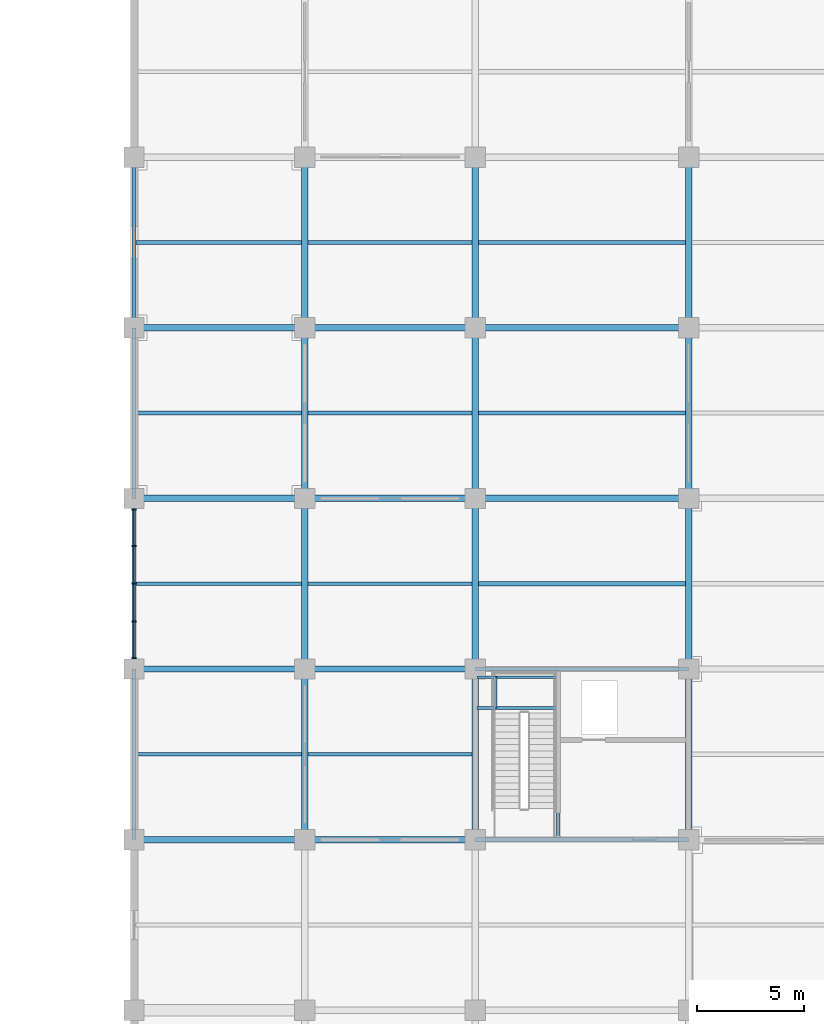
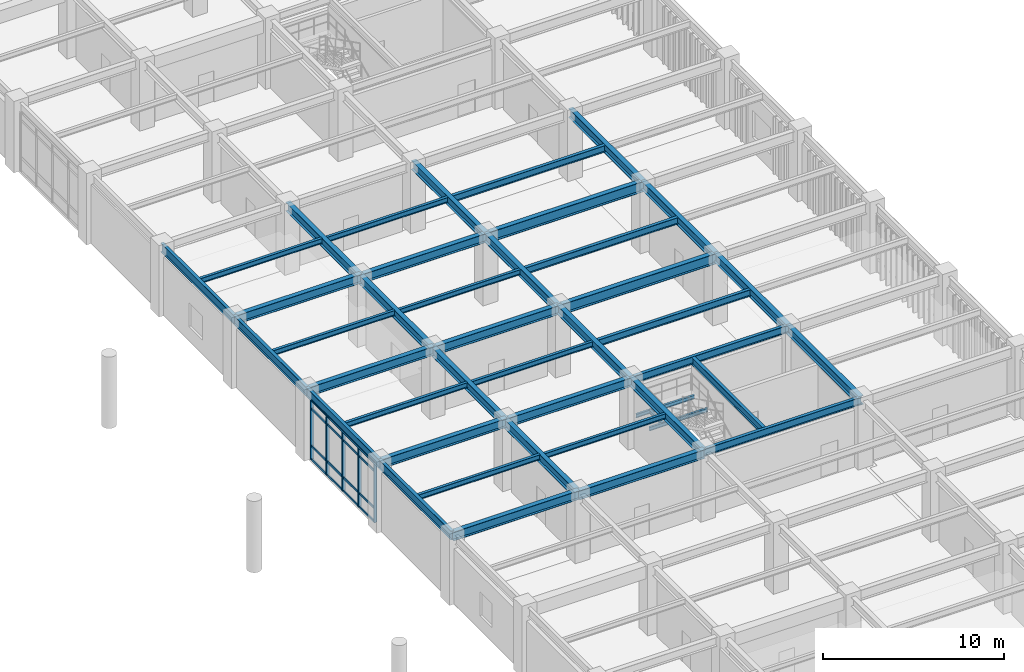
# One storey, part 34 of 109: 43 beams, 21 members, 1 element without a shape of its own.
"""IFC4 building model written with IfcOpenShell, lengths in metres."""

from ifc_helpers import new_model, si_unit, direction, frame, origin, origin_2d, place, context, subcontext, project, spatial, rectangle, i_section, extrude, material, layer, layer_set, material_profile, profile_set, type_object, element, aggregate, save


model = new_model("IFC4")

# Units and contexts
model_context = context("Model", 3, precision=1e-05, world=origin(), true_north=direction((0.0, 1.0)))
body_context = subcontext(model_context, "Body", "Model", "MODEL_VIEW")
ifc_project = project(units=[si_unit("LENGTHUNIT", "METRE"), si_unit("AREAUNIT", "SQUARE_METRE"), si_unit("VOLUMEUNIT", "CUBIC_METRE"), si_unit("PLANEANGLEUNIT", "RADIAN"), si_unit("MASSUNIT", "GRAM", prefix="KILO")], contexts=[model_context])

# Site, building, storey
site_placement = place(None, origin())
site = spatial("IfcSite", under=ifc_project, at=site_placement, CompositionType="ELEMENT")
building_placement = place(site_placement, origin())
building = spatial("IfcBuilding", under=site, at=building_placement, Name="Haebicheon Civic Stadium", CompositionType="ELEMENT")
storey_placement = place(building_placement, frame((0.0, 0.0, 9.60009765625)))
storey = spatial("IfcBuildingStorey", under=building, at=storey_placement, Name="L03", CompositionType="ELEMENT", Elevation=9.60009765625)

# Beams
ifc_material_1 = material(Name="Steel SM355 (S355)", Category="steel")
ifc_material_profile_1 = material_profile(ifc_material_1, i_section(OverallWidth=0.199951171875, OverallDepth=0.5, WebThickness=0.010009765625, FlangeThickness=0.01611328125, at=origin_2d()), Name="H-500x200x10x16")
ifc_profile_set_1 = profile_set([ifc_material_profile_1], Name="Steel SM355 (S355)")
beam_type_1 = type_object("IfcBeamType", Name="BM-ST-H500", PredefinedType="BEAM", material=ifc_profile_set_1)
for number, where, z_axis, x_axis, name in (
    (1, (216.0, 64.0, 4.289794921875), (1.0, 0.0, 0.0), (0.0, 1.0, 0.0), "L03 beam J/28-29"),
    (2, (216.0, 72.0, 4.289794921875), (1.0, 0.0, 0.0), (0.0, 1.0, 0.0), "L03 beam K/28-29"),
):
    element("IfcBeam", number, at=place(storey_placement, frame(where, z_axis=z_axis, x_axis=x_axis)), inside=storey, type_object=beam_type_1, material=ifc_profile_set_1, Name=name, PredefinedType="BEAM", context=body_context, shape_type="SweptSolid", body=[
        extrude(i_section(OverallWidth=0.199951171875, OverallDepth=0.5, WebThickness=0.010009765625, FlangeThickness=0.01611328125, at=origin_2d()), origin(), (0.0, 0.0, 1.0), 10.0),
    ])
beam_1_placement = place(storey_placement, frame((219.8798828125, 64.10009765625, 4.289794921875), z_axis=(0.0, 1.0, 0.0), x_axis=(-1.0, 0.0, 0.0)))
element("IfcBeam", 3, at=beam_1_placement, inside=storey, type_object=beam_type_1, material=ifc_profile_set_1, Name="L03 KC-12 core dividing wall support beam", PredefinedType="BEAM", context=body_context, shape_type="SweptSolid", body=[
    extrude(i_section(OverallWidth=0.199951171875, OverallDepth=0.5, WebThickness=0.010009765625, FlangeThickness=0.01611328125, at=origin_2d()), origin(), (0.0, 0.0, 1.0), 7.7998046875),
])
ifc_material_2 = material(Name="Steel SM355 (S355)", Category="steel")
ifc_material_profile_2 = material_profile(ifc_material_2, i_section(OverallWidth=0.300048828125, OverallDepth=0.60009765625, WebThickness=0.011962890625, FlangeThickness=0.02001953125, at=origin_2d()), Name="H-600x300x12x20")
ifc_profile_set_2 = profile_set([ifc_material_profile_2], Name="Steel SM355 (S355)")
beam_type_2 = type_object("IfcBeamType", Name="BM-ST-H600A", PredefinedType="BEAM", material=ifc_profile_set_2)
for number, where, z_axis, x_axis, name in (
    (4, (208.0, 64.0, 4.239990234375), (0.0, 1.0, 0.0), (-1.0, 0.0, 0.0), "L03 girder 27/J-K"),
    (5, (208.0, 72.0, 4.239990234375), (0.0, 1.0, 0.0), (-1.0, 0.0, 0.0), "L03 girder 27/K-L"),
    (6, (208.0, 80.0, 4.239990234375), (0.0, 1.0, 0.0), (-1.0, 0.0, 0.0), "L03 girder 27/L-M"),
    (7, (208.0, 88.0, 4.239990234375), (0.0, 1.0, 0.0), (-1.0, 0.0, 0.0), "L03 girder 27/M-N"),
    (8, (216.0, 64.0, 4.239990234375), (0.0, 1.0, 0.0), (-1.0, 0.0, 0.0), "L03 girder 28/J-K"),
    (9, (216.0, 72.0, 4.239990234375), (0.0, 1.0, 0.0), (-1.0, 0.0, 0.0), "L03 girder 28/K-L"),
    (10, (216.0, 80.0, 4.239990234375), (0.0, 1.0, 0.0), (-1.0, 0.0, 0.0), "L03 girder 28/L-M"),
    (11, (216.0, 88.0, 4.239990234375), (0.0, 1.0, 0.0), (-1.0, 0.0, 0.0), "L03 girder 28/M-N"),
    (12, (226.0, 64.0, 4.239990234375), (0.0, 1.0, 0.0), (-1.0, 0.0, 0.0), "L03 girder 29/J-K"),
    (13, (226.0, 72.0, 4.239990234375), (0.0, 1.0, 0.0), (-1.0, 0.0, 0.0), "L03 girder 29/K-L"),
    (14, (226.0, 80.0, 4.239990234375), (0.0, 1.0, 0.0), (-1.0, 0.0, 0.0), "L03 girder 29/L-M"),
    (15, (226.0, 88.0, 4.239990234375), (0.0, 1.0, 0.0), (-1.0, 0.0, 0.0), "L03 girder 29/M-N"),
    (16, (200.0, 64.0, 4.27978515625), (1.0, 0.0, 0.0), (0.0, 1.0, 0.0), "L03 beam J/26-27"),
    (17, (200.0, 72.0, 4.27978515625), (1.0, 0.0, 0.0), (0.0, 1.0, 0.0), "L03 beam K/26-27"),
    (18, (200.0, 80.0, 4.27978515625), (1.0, 0.0, 0.0), (0.0, 1.0, 0.0), "L03 beam L/26-27"),
    (19, (200.0, 88.0, 4.27978515625), (1.0, 0.0, 0.0), (0.0, 1.0, 0.0), "L03 beam M/26-27"),
    (20, (208.0, 64.0, 4.239990234375), (1.0, 0.0, 0.0), (0.0, 1.0, 0.0), "L03 beam J/27-28"),
    (21, (208.0, 72.0, 4.239990234375), (1.0, 0.0, 0.0), (0.0, 1.0, 0.0), "L03 beam K/27-28"),
    (22, (208.0, 80.0, 4.239990234375), (1.0, 0.0, 0.0), (0.0, 1.0, 0.0), "L03 beam L/27-28"),
    (23, (208.0, 88.0, 4.239990234375), (1.0, 0.0, 0.0), (0.0, 1.0, 0.0), "L03 beam M/27-28"),
):
    element("IfcBeam", number, at=place(storey_placement, frame(where, z_axis=z_axis, x_axis=x_axis)), inside=storey, type_object=beam_type_2, material=ifc_profile_set_2, Name=name, PredefinedType="BEAM", context=body_context, shape_type="SweptSolid", body=[
        extrude(i_section(OverallWidth=0.300048828125, OverallDepth=0.60009765625, WebThickness=0.011962890625, FlangeThickness=0.02001953125, at=origin_2d()), origin(), (0.0, 0.0, 1.0), 8.0),
    ])
ifc_material_3 = material(Name="Steel SM490", Category="steel")
ifc_material_profile_3 = material_profile(ifc_material_3, i_section(OverallWidth=0.300048828125, OverallDepth=0.699951171875, WebThickness=0.012939453125, FlangeThickness=0.02392578125, at=origin_2d()), Name="H-700x300x13x24")
ifc_profile_set_3 = profile_set([ifc_material_profile_3], Name="Steel SM490")
beam_type_3 = type_object("IfcBeamType", Name="BM-ST-H700", PredefinedType="BEAM", material=ifc_profile_set_3)
for number, where, z_axis, x_axis, name in (
    (24, (216.0, 80.0, 4.18994140625), (1.0, 0.0, 0.0), (0.0, 1.0, 0.0), "L03 beam L/28-29"),
    (25, (216.0, 88.0, 4.18994140625), (1.0, 0.0, 0.0), (0.0, 1.0, 0.0), "L03 beam M/28-29"),
):
    element("IfcBeam", number, at=place(storey_placement, frame(where, z_axis=z_axis, x_axis=x_axis)), inside=storey, type_object=beam_type_3, material=ifc_profile_set_3, Name=name, PredefinedType="BEAM", context=body_context, shape_type="SweptSolid", body=[
        extrude(i_section(OverallWidth=0.300048828125, OverallDepth=0.699951171875, WebThickness=0.012939453125, FlangeThickness=0.02392578125, at=origin_2d()), origin(), (0.0, 0.0, 1.0), 10.0),
    ])

# Curtain wall, members
ifc_material_4 = material(Name="Anodised aluminium and laminated glass", Category="aluminium")
ifc_layer = layer(ifc_material_4, 0.179931640625, Name="Anodised aluminium and laminated glass")
ifc_layer_set = layer_set([ifc_layer], Name="Anodised aluminium and laminated glass")
curtain_wall_type = type_object("IfcCurtainWallType", Name="CW-7050x3950", PredefinedType="NOTDEFINED", material=ifc_layer_set)
curtain_wall_placement = place(storey_placement, origin())
curtain_wall = element("IfcCurtainWall", 26, at=curtain_wall_placement, inside=storey, type_object=curtain_wall_type, material=ifc_layer_set, Name="L03 unitised curtain wall 098", PredefinedType="NOTDEFINED")
ifc_material_5 = material(Name="Anodised aluminium 6063-T6", Category="aluminium")
ifc_material_profile_4 = material_profile(ifc_material_5, rectangle(XDim=0.070068359375, YDim=0.199951171875, at=origin_2d()), Name="ALU-MULL-70x200")
ifc_profile_set_4 = profile_set([ifc_material_profile_4], Name="Anodised aluminium 6063-T6")
member_type_1 = type_object("IfcMemberType", Name="CWM-200x70", PredefinedType="MULLION", material=ifc_profile_set_4)
member_1_placement = place(storey_placement, frame((200.0, 72.510009765625, 0.0), z_axis=(0.0, 0.0, 1.0), x_axis=(0.0, 1.0, 0.0)))
member_1 = element("IfcMember", 27, at=member_1_placement, type_object=member_type_1, material=ifc_profile_set_4, Name="CW-L03-098 vertical mullion 1", PredefinedType="MULLION", context=body_context, shape_type="SweptSolid", body=[
    extrude(rectangle(XDim=0.070068359375, YDim=0.199951171875, at=origin_2d()), origin(), (0.0, 0.0, 1.0), 3.949951171875),
])
member_2_placement = place(storey_placement, frame((200.0, 74.237060546875, 0.0), z_axis=(0.0, 0.0, 1.0), x_axis=(0.0, 1.0, 0.0)))
member_2 = element("IfcMember", 28, at=member_2_placement, type_object=member_type_1, material=ifc_profile_set_4, Name="CW-L03-098 vertical mullion 2", PredefinedType="MULLION", context=body_context, shape_type="SweptSolid", body=[
    extrude(rectangle(XDim=0.070068359375, YDim=0.199951171875, at=origin_2d()), origin(), (0.0, 0.0, 1.0), 3.949951171875),
])
member_3_placement = place(storey_placement, frame((200.0, 76.0, 0.0), z_axis=(0.0, 0.0, 1.0), x_axis=(0.0, 1.0, 0.0)))
member_3 = element("IfcMember", 29, at=member_3_placement, type_object=member_type_1, material=ifc_profile_set_4, Name="CW-L03-098 vertical mullion 3", PredefinedType="MULLION", context=body_context, shape_type="SweptSolid", body=[
    extrude(rectangle(XDim=0.070068359375, YDim=0.199951171875, at=origin_2d()), origin(), (0.0, 0.0, 1.0), 3.949951171875),
])
member_4_placement = place(storey_placement, frame((200.0, 77.762939453125, 0.0), z_axis=(0.0, 0.0, 1.0), x_axis=(0.0, 1.0, 0.0)))
member_4 = element("IfcMember", 30, at=member_4_placement, type_object=member_type_1, material=ifc_profile_set_4, Name="CW-L03-098 vertical mullion 4", PredefinedType="MULLION", context=body_context, shape_type="SweptSolid", body=[
    extrude(rectangle(XDim=0.070068359375, YDim=0.199951171875, at=origin_2d()), origin(), (0.0, 0.0, 1.0), 3.949951171875),
])
member_5_placement = place(storey_placement, frame((200.0, 79.489990234375, 0.0), z_axis=(0.0, 0.0, 1.0), x_axis=(0.0, 1.0, 0.0)))
member_5 = element("IfcMember", 31, at=member_5_placement, type_object=member_type_1, material=ifc_profile_set_4, Name="CW-L03-098 vertical mullion 5", PredefinedType="MULLION", context=body_context, shape_type="SweptSolid", body=[
    extrude(rectangle(XDim=0.070068359375, YDim=0.199951171875, at=origin_2d()), origin(), (0.0, 0.0, 1.0), 3.949951171875),
])
ifc_material_6 = material(Name="Anodised aluminium 6063-T6", Category="aluminium")
ifc_material_profile_5 = material_profile(ifc_material_6, rectangle(XDim=0.070068359375, YDim=0.14990234375, at=origin_2d()), Name="ALU-TRAN-70x150")
ifc_profile_set_5 = profile_set([ifc_material_profile_5], Name="Anodised aluminium 6063-T6")
member_type_2 = type_object("IfcMemberType", Name="CWT-150x70", PredefinedType="NOTDEFINED", material=ifc_profile_set_5)
member_6_placement = place(storey_placement, frame((200.0, 72.544921875, 0.0), z_axis=(0.0, 1.0, 0.0), x_axis=(-1.0, 0.0, 0.0)))
member_6 = element("IfcMember", 32, at=member_6_placement, type_object=member_type_2, material=ifc_profile_set_5, Name="CW-L03-098 horizontal transom 1.1", ObjectType="TRANSOM", PredefinedType="USERDEFINED", context=body_context, shape_type="SweptSolid", body=[
    extrude(rectangle(XDim=0.070068359375, YDim=0.14990234375, at=origin_2d()), origin(), (0.0, 0.0, 1.0), 1.656982421875),
])
member_7_placement = place(storey_placement, frame((200.0, 72.544921875, 0.89990234375), z_axis=(0.0, 1.0, 0.0), x_axis=(-1.0, 0.0, 0.0)))
member_7 = element("IfcMember", 33, at=member_7_placement, type_object=member_type_2, material=ifc_profile_set_5, Name="CW-L03-098 horizontal transom 1.2", ObjectType="TRANSOM", PredefinedType="USERDEFINED", context=body_context, shape_type="SweptSolid", body=[
    extrude(rectangle(XDim=0.070068359375, YDim=0.14990234375, at=origin_2d()), origin(), (0.0, 0.0, 1.0), 1.656982421875),
])
member_8_placement = place(storey_placement, frame((200.0, 72.544921875, 3.39990234375), z_axis=(0.0, 1.0, 0.0), x_axis=(-1.0, 0.0, 0.0)))
member_8 = element("IfcMember", 34, at=member_8_placement, type_object=member_type_2, material=ifc_profile_set_5, Name="CW-L03-098 horizontal transom 1.3", ObjectType="TRANSOM", PredefinedType="USERDEFINED", context=body_context, shape_type="SweptSolid", body=[
    extrude(rectangle(XDim=0.070068359375, YDim=0.14990234375, at=origin_2d()), origin(), (0.0, 0.0, 1.0), 1.656982421875),
])
member_9_placement = place(storey_placement, frame((200.0, 72.544921875, 3.949951171875), z_axis=(0.0, 1.0, 0.0), x_axis=(-1.0, 0.0, 0.0)))
member_9 = element("IfcMember", 35, at=member_9_placement, type_object=member_type_2, material=ifc_profile_set_5, Name="CW-L03-098 horizontal transom 1.4", ObjectType="TRANSOM", PredefinedType="USERDEFINED", context=body_context, shape_type="SweptSolid", body=[
    extrude(rectangle(XDim=0.070068359375, YDim=0.14990234375, at=origin_2d()), origin(), (0.0, 0.0, 1.0), 1.656982421875),
])
member_10_placement = place(storey_placement, frame((200.0, 74.27197265625, 0.0), z_axis=(0.0, 1.0, 0.0), x_axis=(-1.0, 0.0, 0.0)))
member_10 = element("IfcMember", 36, at=member_10_placement, type_object=member_type_2, material=ifc_profile_set_5, Name="CW-L03-098 horizontal transom 2.1", ObjectType="TRANSOM", PredefinedType="USERDEFINED", context=body_context, shape_type="SweptSolid", body=[
    extrude(rectangle(XDim=0.070068359375, YDim=0.14990234375, at=origin_2d()), origin(), (0.0, 0.0, 1.0), 1.693115234375),
])
member_11_placement = place(storey_placement, frame((200.0, 74.27197265625, 0.89990234375), z_axis=(0.0, 1.0, 0.0), x_axis=(-1.0, 0.0, 0.0)))
member_11 = element("IfcMember", 37, at=member_11_placement, type_object=member_type_2, material=ifc_profile_set_5, Name="CW-L03-098 horizontal transom 2.2", ObjectType="TRANSOM", PredefinedType="USERDEFINED", context=body_context, shape_type="SweptSolid", body=[
    extrude(rectangle(XDim=0.070068359375, YDim=0.14990234375, at=origin_2d()), origin(), (0.0, 0.0, 1.0), 1.693115234375),
])
member_12_placement = place(storey_placement, frame((200.0, 74.27197265625, 3.39990234375), z_axis=(0.0, 1.0, 0.0), x_axis=(-1.0, 0.0, 0.0)))
member_12 = element("IfcMember", 38, at=member_12_placement, type_object=member_type_2, material=ifc_profile_set_5, Name="CW-L03-098 horizontal transom 2.3", ObjectType="TRANSOM", PredefinedType="USERDEFINED", context=body_context, shape_type="SweptSolid", body=[
    extrude(rectangle(XDim=0.070068359375, YDim=0.14990234375, at=origin_2d()), origin(), (0.0, 0.0, 1.0), 1.693115234375),
])
member_13_placement = place(storey_placement, frame((200.0, 74.27197265625, 3.949951171875), z_axis=(0.0, 1.0, 0.0), x_axis=(-1.0, 0.0, 0.0)))
member_13 = element("IfcMember", 39, at=member_13_placement, type_object=member_type_2, material=ifc_profile_set_5, Name="CW-L03-098 horizontal transom 2.4", ObjectType="TRANSOM", PredefinedType="USERDEFINED", context=body_context, shape_type="SweptSolid", body=[
    extrude(rectangle(XDim=0.070068359375, YDim=0.14990234375, at=origin_2d()), origin(), (0.0, 0.0, 1.0), 1.693115234375),
])
member_14_placement = place(storey_placement, frame((200.0, 76.034912109375, 0.0), z_axis=(0.0, 1.0, 0.0), x_axis=(-1.0, 0.0, 0.0)))
member_14 = element("IfcMember", 40, at=member_14_placement, type_object=member_type_2, material=ifc_profile_set_5, Name="CW-L03-098 horizontal transom 3.1", ObjectType="TRANSOM", PredefinedType="USERDEFINED", context=body_context, shape_type="SweptSolid", body=[
    extrude(rectangle(XDim=0.070068359375, YDim=0.14990234375, at=origin_2d()), origin(), (0.0, 0.0, 1.0), 1.693115234375),
])
member_15_placement = place(storey_placement, frame((200.0, 76.034912109375, 0.89990234375), z_axis=(0.0, 1.0, 0.0), x_axis=(-1.0, 0.0, 0.0)))
member_15 = element("IfcMember", 41, at=member_15_placement, type_object=member_type_2, material=ifc_profile_set_5, Name="CW-L03-098 horizontal transom 3.2", ObjectType="TRANSOM", PredefinedType="USERDEFINED", context=body_context, shape_type="SweptSolid", body=[
    extrude(rectangle(XDim=0.070068359375, YDim=0.14990234375, at=origin_2d()), origin(), (0.0, 0.0, 1.0), 1.693115234375),
])
member_16_placement = place(storey_placement, frame((200.0, 76.034912109375, 3.39990234375), z_axis=(0.0, 1.0, 0.0), x_axis=(-1.0, 0.0, 0.0)))
member_16 = element("IfcMember", 42, at=member_16_placement, type_object=member_type_2, material=ifc_profile_set_5, Name="CW-L03-098 horizontal transom 3.3", ObjectType="TRANSOM", PredefinedType="USERDEFINED", context=body_context, shape_type="SweptSolid", body=[
    extrude(rectangle(XDim=0.070068359375, YDim=0.14990234375, at=origin_2d()), origin(), (0.0, 0.0, 1.0), 1.693115234375),
])
member_17_placement = place(storey_placement, frame((200.0, 76.034912109375, 3.949951171875), z_axis=(0.0, 1.0, 0.0), x_axis=(-1.0, 0.0, 0.0)))
member_17 = element("IfcMember", 43, at=member_17_placement, type_object=member_type_2, material=ifc_profile_set_5, Name="CW-L03-098 horizontal transom 3.4", ObjectType="TRANSOM", PredefinedType="USERDEFINED", context=body_context, shape_type="SweptSolid", body=[
    extrude(rectangle(XDim=0.070068359375, YDim=0.14990234375, at=origin_2d()), origin(), (0.0, 0.0, 1.0), 1.693115234375),
])
member_18_placement = place(storey_placement, frame((200.0, 77.798095703125, 0.0), z_axis=(0.0, 1.0, 0.0), x_axis=(-1.0, 0.0, 0.0)))
member_18 = element("IfcMember", 44, at=member_18_placement, type_object=member_type_2, material=ifc_profile_set_5, Name="CW-L03-098 horizontal transom 4.1", ObjectType="TRANSOM", PredefinedType="USERDEFINED", context=body_context, shape_type="SweptSolid", body=[
    extrude(rectangle(XDim=0.070068359375, YDim=0.14990234375, at=origin_2d()), origin(), (0.0, 0.0, 1.0), 1.656982421875),
])
member_19_placement = place(storey_placement, frame((200.0, 77.798095703125, 0.89990234375), z_axis=(0.0, 1.0, 0.0), x_axis=(-1.0, 0.0, 0.0)))
member_19 = element("IfcMember", 45, at=member_19_placement, type_object=member_type_2, material=ifc_profile_set_5, Name="CW-L03-098 horizontal transom 4.2", ObjectType="TRANSOM", PredefinedType="USERDEFINED", context=body_context, shape_type="SweptSolid", body=[
    extrude(rectangle(XDim=0.070068359375, YDim=0.14990234375, at=origin_2d()), origin(), (0.0, 0.0, 1.0), 1.656982421875),
])
member_20_placement = place(storey_placement, frame((200.0, 77.798095703125, 3.39990234375), z_axis=(0.0, 1.0, 0.0), x_axis=(-1.0, 0.0, 0.0)))
member_20 = element("IfcMember", 46, at=member_20_placement, type_object=member_type_2, material=ifc_profile_set_5, Name="CW-L03-098 horizontal transom 4.3", ObjectType="TRANSOM", PredefinedType="USERDEFINED", context=body_context, shape_type="SweptSolid", body=[
    extrude(rectangle(XDim=0.070068359375, YDim=0.14990234375, at=origin_2d()), origin(), (0.0, 0.0, 1.0), 1.656982421875),
])
member_21_placement = place(storey_placement, frame((200.0, 77.798095703125, 3.949951171875), z_axis=(0.0, 1.0, 0.0), x_axis=(-1.0, 0.0, 0.0)))
member_21 = element("IfcMember", 47, at=member_21_placement, type_object=member_type_2, material=ifc_profile_set_5, Name="CW-L03-098 horizontal transom 4.4", ObjectType="TRANSOM", PredefinedType="USERDEFINED", context=body_context, shape_type="SweptSolid", body=[
    extrude(rectangle(XDim=0.070068359375, YDim=0.14990234375, at=origin_2d()), origin(), (0.0, 0.0, 1.0), 1.656982421875),
])
aggregate(curtain_wall, [member_1, member_2, member_3, member_4, member_5, member_6, member_7, member_8, member_9, member_10, member_11, member_12, member_13, member_14, member_15, member_16, member_17, member_18, member_19, member_20, member_21])

# Beams
ifc_material_7 = material(Name="Steel SM355 (S355)", Category="steel")
ifc_material_profile_6 = material_profile(ifc_material_7, i_section(OverallWidth=0.125, OverallDepth=0.25, WebThickness=0.006103515625, FlangeThickness=0.009033203125, at=origin_2d()), Name="H-250x125x6x9")
ifc_profile_set_6 = profile_set([ifc_material_profile_6], Name="Steel SM355 (S355)")
beam_type_4 = type_object("IfcBeamType", Name="JST-ST-H250", PredefinedType="JOIST", material=ifc_profile_set_6)
for number, where, z_axis, x_axis, name in (
    (48, (216.080078125, 70.169921875, 2.072021484375), (1.0, 0.0, 0.0), (0.0, 1.0, 0.0), "KC-12 L03 stair half-landing front trimmer beam"),
    (49, (216.080078125, 71.6201171875, 2.072021484375), (1.0, 0.0, 0.0), (0.0, 1.0, 0.0), "KC-12 L03 stair half-landing rear trimmer beam"),
):
    element("IfcBeam", number, at=place(storey_placement, frame(where, z_axis=z_axis, x_axis=x_axis)), inside=storey, type_object=beam_type_4, material=ifc_profile_set_6, Name=name, PredefinedType="JOIST", context=body_context, shape_type="SweptSolid", body=[
        extrude(i_section(OverallWidth=0.125, OverallDepth=0.25, WebThickness=0.006103515625, FlangeThickness=0.009033203125, at=origin_2d()), origin(), (0.0, 0.0, 1.0), 3.719970703125),
    ])
beam_2_placement = place(storey_placement, frame((216.9599609375, 70.169921875, 2.072021484375), z_axis=(0.0, 1.0, 0.0), x_axis=(-1.0, 0.0, 0.0)))
element("IfcBeam", 50, at=beam_2_placement, inside=storey, type_object=beam_type_4, material=ifc_profile_set_6, Name="KC-12 L03 stair half-landing transverse tie beam", PredefinedType="JOIST", context=body_context, shape_type="SweptSolid", body=[
    extrude(i_section(OverallWidth=0.125, OverallDepth=0.25, WebThickness=0.006103515625, FlangeThickness=0.009033203125, at=origin_2d()), origin(), (0.0, 0.0, 1.0), 1.4501953125),
])
ifc_material_8 = material(Name="Steel SM355 (S355)", Category="steel")
ifc_material_profile_7 = material_profile(ifc_material_8, i_section(OverallWidth=0.175048828125, OverallDepth=0.35009765625, WebThickness=0.007080078125, FlangeThickness=0.010986328125, at=origin_2d()), Name="H-350x175x7x11")
ifc_profile_set_7 = profile_set([ifc_material_profile_7], Name="Steel SM355 (S355)")
beam_type_5 = type_object("IfcBeamType", Name="JST-ST-H350", PredefinedType="JOIST", material=ifc_profile_set_7)
for number, where, z_axis, x_axis, name in (
    (51, (200.10009765625, 68.0, 4.40478515625), (1.0, 0.0, 0.0), (0.0, 1.0, 0.0), "L03 secondary joist 25-08"),
    (52, (200.10009765625, 76.0, 4.40478515625), (1.0, 0.0, 0.0), (0.0, 1.0, 0.0), "L03 secondary joist 25-09"),
    (53, (200.10009765625, 84.0, 4.40478515625), (1.0, 0.0, 0.0), (0.0, 1.0, 0.0), "L03 secondary joist 25-10"),
    (54, (200.10009765625, 92.0, 4.40478515625), (1.0, 0.0, 0.0), (0.0, 1.0, 0.0), "L03 secondary joist 25-11"),
):
    element("IfcBeam", number, at=place(storey_placement, frame(where, z_axis=z_axis, x_axis=x_axis)), inside=storey, type_object=beam_type_5, material=ifc_profile_set_7, Name=name, PredefinedType="JOIST", context=body_context, shape_type="SweptSolid", body=[
        extrude(i_section(OverallWidth=0.175048828125, OverallDepth=0.35009765625, WebThickness=0.007080078125, FlangeThickness=0.010986328125, at=origin_2d()), origin(), (0.0, 0.0, 1.0), 7.75),
    ])
for number, where, z_axis, x_axis, name in (
    (55, (208.14990234375, 68.0, 4.364990234375), (1.0, 0.0, 0.0), (0.0, 1.0, 0.0), "L03 secondary joist 26-08"),
    (56, (208.14990234375, 76.0, 4.364990234375), (1.0, 0.0, 0.0), (0.0, 1.0, 0.0), "L03 secondary joist 26-09"),
    (57, (208.14990234375, 84.0, 4.364990234375), (1.0, 0.0, 0.0), (0.0, 1.0, 0.0), "L03 secondary joist 26-10"),
    (58, (208.14990234375, 92.0, 4.364990234375), (1.0, 0.0, 0.0), (0.0, 1.0, 0.0), "L03 secondary joist 26-11"),
):
    element("IfcBeam", number, at=place(storey_placement, frame(where, z_axis=z_axis, x_axis=x_axis)), inside=storey, type_object=beam_type_5, material=ifc_profile_set_7, Name=name, PredefinedType="JOIST", context=body_context, shape_type="SweptSolid", body=[
        extrude(i_section(OverallWidth=0.175048828125, OverallDepth=0.35009765625, WebThickness=0.007080078125, FlangeThickness=0.010986328125, at=origin_2d()), origin(), (0.0, 0.0, 1.0), 7.7001953125),
    ])
ifc_material_9 = material(Name="Steel SM355 (S355)", Category="steel")
ifc_material_profile_8 = material_profile(ifc_material_9, i_section(OverallWidth=0.199951171875, OverallDepth=0.449951171875, WebThickness=0.009033203125, FlangeThickness=0.013916015625, at=origin_2d()), Name="H-450x200x9x14")
ifc_profile_set_8 = profile_set([ifc_material_profile_8], Name="Steel SM355 (S355)")
beam_type_6 = type_object("IfcBeamType", Name="JST-ST-H450", PredefinedType="JOIST", material=ifc_profile_set_8)
for number, where, z_axis, x_axis, name in (
    (59, (216.14990234375, 76.0, 4.31494140625), (1.0, 0.0, 0.0), (0.0, 1.0, 0.0), "L03 secondary joist 27-09"),
    (60, (216.14990234375, 84.0, 4.31494140625), (1.0, 0.0, 0.0), (0.0, 1.0, 0.0), "L03 secondary joist 27-10"),
    (61, (216.14990234375, 92.0, 4.31494140625), (1.0, 0.0, 0.0), (0.0, 1.0, 0.0), "L03 secondary joist 27-11"),
):
    element("IfcBeam", number, at=place(storey_placement, frame(where, z_axis=z_axis, x_axis=x_axis)), inside=storey, type_object=beam_type_6, material=ifc_profile_set_8, Name=name, PredefinedType="JOIST", context=body_context, shape_type="SweptSolid", body=[
        extrude(i_section(OverallWidth=0.199951171875, OverallDepth=0.449951171875, WebThickness=0.009033203125, FlangeThickness=0.013916015625, at=origin_2d()), origin(), (0.0, 0.0, 1.0), 9.7001953125),
    ])
ifc_material_10 = material(Name="Steel SM355 (S355)", Category="steel")
ifc_material_profile_9 = material_profile(ifc_material_10, i_section(OverallWidth=0.199951171875, OverallDepth=0.60009765625, WebThickness=0.010986328125, FlangeThickness=0.01708984375, at=origin_2d()), Name="H-600x200x11x17")
ifc_profile_set_9 = profile_set([ifc_material_profile_9], Name="Steel SM355 (S355)")
beam_type_7 = type_object("IfcBeamType", Name="SPD-ST-H600B", PredefinedType="SPANDREL", material=ifc_profile_set_9)
for number, where, z_axis, x_axis, name in (
    (62, (200.0, 64.0, 4.27978515625), (0.0, 1.0, 0.0), (-1.0, 0.0, 0.0), "L03 girder 26/J-K"),
    (63, (200.0, 72.0, 4.27978515625), (0.0, 1.0, 0.0), (-1.0, 0.0, 0.0), "L03 girder 26/K-L"),
    (64, (200.0, 80.0, 4.27978515625), (0.0, 1.0, 0.0), (-1.0, 0.0, 0.0), "L03 girder 26/L-M"),
    (65, (200.0, 88.0, 4.27978515625), (0.0, 1.0, 0.0), (-1.0, 0.0, 0.0), "L03 girder 26/M-N"),
):
    element("IfcBeam", number, at=place(storey_placement, frame(where, z_axis=z_axis, x_axis=x_axis)), inside=storey, type_object=beam_type_7, material=ifc_profile_set_9, Name=name, PredefinedType="SPANDREL", context=body_context, shape_type="SweptSolid", body=[
        extrude(i_section(OverallWidth=0.199951171875, OverallDepth=0.60009765625, WebThickness=0.010986328125, FlangeThickness=0.01708984375, at=origin_2d()), origin(), (0.0, 0.0, 1.0), 8.0),
    ])

save(model, "model.ifc")
